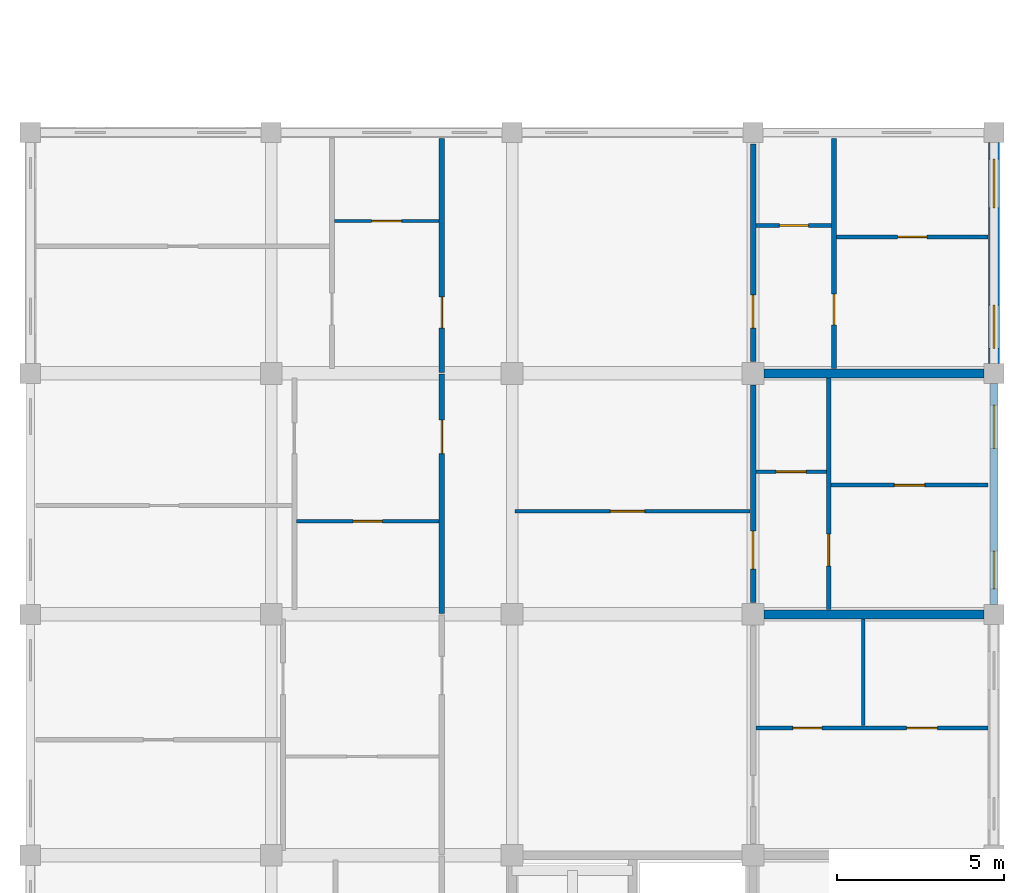
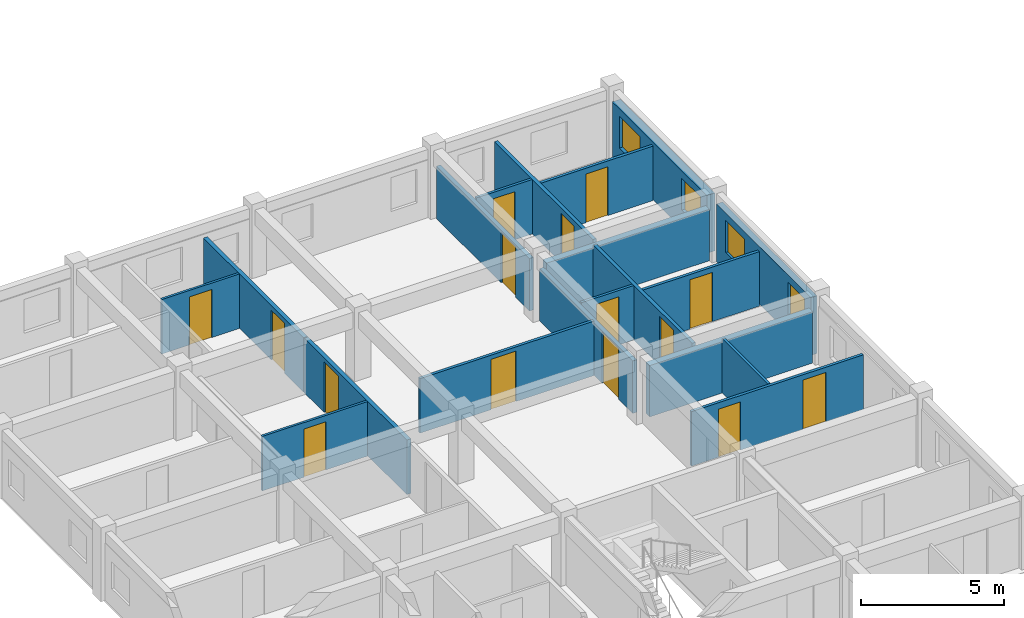
# One storey, part 33 of 50: 19 walls, 15 doors, 4 windows, 19 openings.
"""IFC4 building model written with IfcOpenShell, lengths in metres."""

from ifc_helpers import new_model, si_unit, direction, frame, frame_2d, origin, place, context, subcontext, project, spatial, rectangle, extrude, material, layer, layer_set, type_object, element, fill, save


model = new_model("IFC4")

# Units and contexts
model_context = context("Model", 3, precision=1e-05, world=origin(), true_north=direction((0.0, 1.0)))
body_context = subcontext(model_context, "Body", "Model", "MODEL_VIEW")
ifc_project = project(units=[si_unit("LENGTHUNIT", "METRE"), si_unit("AREAUNIT", "SQUARE_METRE"), si_unit("VOLUMEUNIT", "CUBIC_METRE"), si_unit("PLANEANGLEUNIT", "RADIAN"), si_unit("MASSUNIT", "GRAM", prefix="KILO"), si_unit("THERMODYNAMICTEMPERATUREUNIT", "KELVIN"), si_unit("POWERUNIT", "WATT")], contexts=[model_context])

# Site, building, storey
site_placement = place(None, origin())
site = spatial("IfcSite", under=ifc_project, at=site_placement, CompositionType="ELEMENT")
building_placement = place(site_placement, origin())
building = spatial("IfcBuilding", under=site, at=building_placement, Name="Tavuni Mirador Residences", CompositionType="ELEMENT")
storey_placement = place(building_placement, frame((0.0, 0.0, 4.5)))
storey = spatial("IfcBuildingStorey", under=building, at=storey_placement, Name="L01", CompositionType="ELEMENT", Elevation=4.5)

# Wall, opening, door
ifc_material_1 = material(Name="Precast concrete C40/50", Category="concrete")
ifc_layer_1 = layer(ifc_material_1, 0.1650390625, Name="Precast concrete C40/50", Category="concrete")
ifc_layer_set_1 = layer_set([ifc_layer_1], Name="Precast concrete C40/50")
wall_type_1 = type_object("IfcWallType", Name="WT-CORR165", PredefinedType="PARTITIONING", material=ifc_layer_set_1)
wall_1_placement = place(storey_placement, frame((102.300048828125, 122.419921875, 0.0), z_axis=(0.0, 0.0, 1.0), x_axis=(0.0, 1.0, 0.0)))
wall_1 = element("IfcWall", 1, at=wall_1_placement, inside=storey, type_object=wall_type_1, Name="CORW-BLK-D-L01-0-05", PredefinedType="PARTITIONING", context=body_context, shape_type="SweptSolid", body=[
    extrude(rectangle(XDim=7.16015625, YDim=0.1650390625, at=frame_2d((3.580078125, 0.0))), origin(), (0.0, 0.0, 1.0), 2.324951171875),
])
opening_1_placement = place(wall_1_placement, frame((4.780029296875, 0.0, 0.0)))
opening_1 = element("IfcOpeningElement", 2, at=opening_1_placement, cuts=wall_1, Name="Opening D-03", PredefinedType="OPENING", context=body_context, shape_type="SweptSolid", body=[
    extrude(rectangle(XDim=1.0, YDim=2.14990234375, at=frame_2d((0.5, 1.074951171875))), frame((0.0, 0.092529296875, 0.0), z_axis=(0.0, -1.0, 0.0), x_axis=(1.0, 0.0, 0.0)), (0.0, 0.0, 1.0), 0.18505859375),
])
ifc_material_2 = material(Name="Solid core iroko timber", Category="wood")
door_type_1 = type_object("IfcDoorType", Name="DT-FD60-1000", OperationType="NOTDEFINED", PredefinedType="DOOR", material=ifc_material_2)
door_1_placement = place(opening_1_placement, origin())
door_1 = element("IfcDoor", 3, at=door_1_placement, inside=storey, type_object=door_type_1, Name="DR-2826", OperationType="SINGLE_SWING_LEFT", OverallHeight=2.14990234375, OverallWidth=1.0, PredefinedType="DOOR", context=body_context, shape_type="SweptSolid", body=[
    extrude(rectangle(XDim=1.0, YDim=2.14990234375, at=frame_2d((0.5, 1.074951171875))), frame((0.0, 0.02490234375, 0.0), z_axis=(0.0, -1.0, 0.0), x_axis=(1.0, 0.0, 0.0)), (0.0, 0.0, 1.0), 0.050048828125),
])
fill(opening_1, door_1)

wall_2_placement = place(storey_placement, frame((102.300048828125, 129.6201171875, 0.0), z_axis=(0.0, 0.0, 1.0), x_axis=(0.0, 1.0, 0.0)))
wall_2 = element("IfcWall", 4, at=wall_2_placement, inside=storey, type_object=wall_type_1, Name="CORW-BLK-D-L01-0-06", PredefinedType="PARTITIONING", context=body_context, shape_type="SweptSolid", body=[
    extrude(rectangle(XDim=7.0048828125, YDim=0.1650390625, at=frame_2d((3.50244140625, 0.0))), origin(), (0.0, 0.0, 1.0), 2.324951171875),
])
opening_2_placement = place(wall_2_placement, frame((1.330078125, 0.0, 0.0)))
opening_2 = element("IfcOpeningElement", 5, at=opening_2_placement, cuts=wall_2, Name="Opening D-19", PredefinedType="OPENING", context=body_context, shape_type="SweptSolid", body=[
    extrude(rectangle(XDim=0.93994140625, YDim=2.1201171875, at=frame_2d((0.469970703125, 1.06005859375))), frame((0.0, 0.092529296875, 0.0), z_axis=(0.0, -1.0, 0.0), x_axis=(1.0, 0.0, 0.0)), (0.0, 0.0, 1.0), 0.18505859375),
])
door_type_2 = type_object("IfcDoorType", Name="DT-FD60-940", OperationType="NOTDEFINED", PredefinedType="DOOR", material=ifc_material_2)
door_2_placement = place(opening_2_placement, origin())
door_2 = element("IfcDoor", 6, at=door_2_placement, inside=storey, type_object=door_type_2, Name="DR-2827", OperationType="SINGLE_SWING_RIGHT", OverallHeight=2.1201171875, OverallWidth=0.93994140625, PredefinedType="DOOR", context=body_context, shape_type="SweptSolid", body=[
    extrude(rectangle(XDim=0.93994140625, YDim=2.1201171875, at=frame_2d((0.469970703125, 1.06005859375))), frame((0.0, 0.02490234375, 0.0), z_axis=(0.0, -1.0, 0.0), x_axis=(1.0, 0.0, 0.0)), (0.0, 0.0, 1.0), 0.050048828125),
])
fill(opening_2, door_2)

wall_3_placement = place(storey_placement, frame((111.60009765625, 122.75, 0.0), z_axis=(0.0, 0.0, 1.0), x_axis=(0.0, 1.0, 0.0)))
wall_3 = element("IfcWall", 7, at=wall_3_placement, inside=storey, type_object=wall_type_1, Name="CORW-BLK-D-L01-1-05", PredefinedType="PARTITIONING", context=body_context, shape_type="SweptSolid", body=[
    extrude(rectangle(XDim=6.5, YDim=0.1650390625, at=frame_2d((3.25, 0.0))), origin(), (0.0, 0.0, 1.0), 2.239990234375),
])
opening_3_placement = place(wall_3_placement, frame((1.0, 0.0, 0.0)))
opening_3 = element("IfcOpeningElement", 8, at=opening_3_placement, cuts=wall_3, Name="Opening D-20", PredefinedType="OPENING", context=body_context, shape_type="SweptSolid", body=[
    extrude(rectangle(XDim=1.139892578125, YDim=2.179931640625, at=frame_2d((0.56982421875, 1.08984375))), frame((0.0, 0.092529296875, 0.0), z_axis=(0.0, -1.0, 0.0), x_axis=(1.0, 0.0, 0.0)), (0.0, 0.0, 1.0), 0.18505859375),
])
door_type_3 = type_object("IfcDoorType", Name="DT-FD60-1140", OperationType="NOTDEFINED", PredefinedType="DOOR", material=ifc_material_2)
door_3_placement = place(opening_3_placement, origin())
door_3 = element("IfcDoor", 9, at=door_3_placement, inside=storey, type_object=door_type_3, Name="DR-2831", OperationType="SINGLE_SWING_RIGHT", OverallHeight=2.179931640625, OverallWidth=1.139892578125, PredefinedType="DOOR", context=body_context, shape_type="SweptSolid", body=[
    extrude(rectangle(XDim=1.139892578125, YDim=2.179931640625, at=frame_2d((0.56982421875, 1.08984375))), frame((0.0, 0.02490234375, 0.0), z_axis=(0.0, -1.0, 0.0), x_axis=(1.0, 0.0, 0.0)), (0.0, 0.0, 1.0), 0.050048828125),
])
fill(opening_3, door_3)

wall_4_placement = place(storey_placement, frame((111.60009765625, 129.949951171875, 0.0), z_axis=(0.0, 0.0, 1.0), x_axis=(0.0, 1.0, 0.0)))
wall_4 = element("IfcWall", 10, at=wall_4_placement, inside=storey, type_object=wall_type_1, Name="CORW-BLK-D-L01-1-06", PredefinedType="PARTITIONING", context=body_context, shape_type="SweptSolid", body=[
    extrude(rectangle(XDim=6.5, YDim=0.1650390625, at=frame_2d((3.25, 0.0))), origin(), (0.0, 0.0, 1.0), 2.239990234375),
])
opening_4_placement = place(wall_4_placement, frame((1.0, 0.0, 0.0)))
opening_4 = element("IfcOpeningElement", 11, at=opening_4_placement, cuts=wall_4, Name="Opening D-03", PredefinedType="OPENING", context=body_context, shape_type="SweptSolid", body=[
    extrude(rectangle(XDim=1.0, YDim=2.14990234375, at=frame_2d((0.5, 1.074951171875))), frame((0.0, 0.092529296875, 0.0), z_axis=(0.0, -1.0, 0.0), x_axis=(1.0, 0.0, 0.0)), (0.0, 0.0, 1.0), 0.18505859375),
])
door_4_placement = place(opening_4_placement, origin())
door_4 = element("IfcDoor", 12, at=door_4_placement, inside=storey, type_object=door_type_1, Name="DR-2832", OperationType="SINGLE_SWING_LEFT", OverallHeight=2.14990234375, OverallWidth=1.0, PredefinedType="DOOR", context=body_context, shape_type="SweptSolid", body=[
    extrude(rectangle(XDim=1.0, YDim=2.14990234375, at=frame_2d((0.5, 1.074951171875))), frame((0.0, 0.02490234375, 0.0), z_axis=(0.0, -1.0, 0.0), x_axis=(1.0, 0.0, 0.0)), (0.0, 0.0, 1.0), 0.050048828125),
])
fill(opening_4, door_4)

# Wall, openings, windows
ifc_layer_2 = layer(ifc_material_1, 0.330078125, Name="Precast concrete C40/50", Category="concrete")
ifc_layer_set_2 = layer_set([ifc_layer_2], Name="Precast concrete C40/50")
wall_type_2 = type_object("IfcWallType", Name="WT-EXT-COR330", PredefinedType="SOLIDWALL", material=ifc_layer_set_2)
wall_5_placement = place(storey_placement, frame((118.800048828125, 129.89990234375, 0.0), z_axis=(0.0, 0.0, 1.0), x_axis=(0.0, 1.0, 0.0)))
wall_5 = element("IfcWall", 13, at=wall_5_placement, inside=storey, type_object=wall_type_2, Name="EW-BLK-D-L01-E06", PredefinedType="SOLIDWALL", context=body_context, shape_type="SweptSolid", body=[
    extrude(rectangle(XDim=6.60009765625, YDim=0.330078125, at=frame_2d((3.300048828125, 0.0))), origin(), (0.0, 0.0, 1.0), 2.4599609375),
])
opening_5_placement = place(wall_5_placement, frame((0.449951171875, 0.0, 0.780029296875)))
opening_5 = element("IfcOpeningElement", 14, at=opening_5_placement, cuts=wall_5, Name="Opening WN-22", PredefinedType="OPENING", context=body_context, shape_type="SweptSolid", body=[
    extrude(rectangle(XDim=1.300048828125, YDim=1.360107421875, at=frame_2d((0.64990234375, 0.68017578125))), frame((0.0, 0.175048828125, 0.0), z_axis=(0.0, -1.0, 0.0), x_axis=(1.0, 0.0, 0.0)), (0.0, 0.0, 1.0), 0.35009765625),
])
opening_6_placement = place(wall_5_placement, frame((4.64990234375, 0.0, 0.780029296875)))
opening_6 = element("IfcOpeningElement", 15, at=opening_6_placement, cuts=wall_5, Name="Opening WN-24", PredefinedType="OPENING", context=body_context, shape_type="SweptSolid", body=[
    extrude(rectangle(XDim=1.4599609375, YDim=1.360107421875, at=frame_2d((0.72998046875, 0.68017578125))), frame((0.0, 0.175048828125, 0.0), z_axis=(0.0, -1.0, 0.0), x_axis=(1.0, 0.0, 0.0)), (0.0, 0.0, 1.0), 0.35009765625),
])
ifc_material_3 = material(Name="Laminated solar-control glass", Category="glass")
window_type_1 = type_object("IfcWindowType", Name="WNT-22", PartitioningType="SINGLE_PANEL", PredefinedType="WINDOW", material=ifc_material_3)
window_1_placement = place(opening_5_placement, origin())
window_1 = element("IfcWindow", 16, at=window_1_placement, inside=storey, type_object=window_type_1, Name="WIN-1460", OverallHeight=1.360107421875, OverallWidth=1.300048828125, PartitioningType="SINGLE_PANEL", PredefinedType="WINDOW", context=body_context, shape_type="SweptSolid", body=[
    extrude(rectangle(XDim=1.300048828125, YDim=1.360107421875, at=frame_2d((0.64990234375, 0.68017578125))), frame((0.0, 0.030029296875, 0.0), z_axis=(0.0, -1.0, 0.0), x_axis=(1.0, 0.0, 0.0)), (0.0, 0.0, 1.0), 0.06005859375),
])
fill(opening_5, window_1)
window_type_2 = type_object("IfcWindowType", Name="WNT-24", PartitioningType="SINGLE_PANEL", PredefinedType="WINDOW", material=ifc_material_3)
window_2_placement = place(opening_6_placement, origin())
window_2 = element("IfcWindow", 17, at=window_2_placement, inside=storey, type_object=window_type_2, Name="WIN-1461", OverallHeight=1.360107421875, OverallWidth=1.4599609375, PartitioningType="SINGLE_PANEL", PredefinedType="WINDOW", context=body_context, shape_type="SweptSolid", body=[
    extrude(rectangle(XDim=1.4599609375, YDim=1.360107421875, at=frame_2d((0.72998046875, 0.68017578125))), frame((0.0, 0.030029296875, 0.0), z_axis=(0.0, -1.0, 0.0), x_axis=(1.0, 0.0, 0.0)), (0.0, 0.0, 1.0), 0.06005859375),
])
fill(opening_6, window_2)

ifc_material_4 = material(Name="Sgraffito lime-rendered precast concrete C40/50", Category="concrete")
ifc_layer_3 = layer(ifc_material_4, 0.2451171875, Name="Sgraffito lime-rendered precast concrete C40/50", Category="concrete")
ifc_layer_set_3 = layer_set([ifc_layer_3], Name="Sgraffito lime-rendered precast concrete C40/50")
wall_type_3 = type_object("IfcWallType", Name="WT-EXT-PC245", PredefinedType="SOLIDWALL", material=ifc_layer_set_3)
wall_6_placement = place(storey_placement, frame((118.800048828125, 122.699951171875, 0.0), z_axis=(0.0, 0.0, 1.0), x_axis=(0.0, 1.0, 0.0)))
wall_6 = element("IfcWall", 18, at=wall_6_placement, inside=storey, type_object=wall_type_3, Name="EW-BLK-D-L01-E05", PredefinedType="SOLIDWALL", context=body_context, shape_type="SweptSolid", body=[
    extrude(rectangle(XDim=6.60009765625, YDim=0.2451171875, at=frame_2d((3.300048828125, 0.0))), origin(), (0.0, 0.0, 1.0), 2.4599609375),
])
opening_7_placement = place(wall_6_placement, frame((0.449951171875, 0.0, 0.780029296875)))
opening_7 = element("IfcOpeningElement", 19, at=opening_7_placement, cuts=wall_6, Name="Opening WN-20", PredefinedType="OPENING", context=body_context, shape_type="SweptSolid", body=[
    extrude(rectangle(XDim=1.139892578125, YDim=1.360107421875, at=frame_2d((0.56982421875, 0.68017578125))), frame((0.0, 0.132568359375, 0.0), z_axis=(0.0, -1.0, 0.0), x_axis=(1.0, 0.0, 0.0)), (0.0, 0.0, 1.0), 0.26513671875),
])
opening_8_placement = place(wall_6_placement, frame((4.64990234375, 0.0, 0.780029296875)))
opening_8 = element("IfcOpeningElement", 20, at=opening_8_placement, cuts=wall_6, Name="Opening WN-22", PredefinedType="OPENING", context=body_context, shape_type="SweptSolid", body=[
    extrude(rectangle(XDim=1.300048828125, YDim=1.360107421875, at=frame_2d((0.64990234375, 0.68017578125))), frame((0.0, 0.132568359375, 0.0), z_axis=(0.0, -1.0, 0.0), x_axis=(1.0, 0.0, 0.0)), (0.0, 0.0, 1.0), 0.26513671875),
])
window_type_3 = type_object("IfcWindowType", Name="WNT-20", PartitioningType="SINGLE_PANEL", PredefinedType="WINDOW", material=ifc_material_3)
window_3_placement = place(opening_7_placement, origin())
window_3 = element("IfcWindow", 21, at=window_3_placement, inside=storey, type_object=window_type_3, Name="WIN-1458", OverallHeight=1.360107421875, OverallWidth=1.139892578125, PartitioningType="SINGLE_PANEL", PredefinedType="WINDOW", context=body_context, shape_type="SweptSolid", body=[
    extrude(rectangle(XDim=1.139892578125, YDim=1.360107421875, at=frame_2d((0.56982421875, 0.68017578125))), frame((0.0, 0.030029296875, 0.0), z_axis=(0.0, -1.0, 0.0), x_axis=(1.0, 0.0, 0.0)), (0.0, 0.0, 1.0), 0.06005859375),
])
fill(opening_7, window_3)
window_4_placement = place(opening_8_placement, origin())
window_4 = element("IfcWindow", 22, at=window_4_placement, inside=storey, type_object=window_type_1, Name="WIN-1459", OverallHeight=1.360107421875, OverallWidth=1.300048828125, PartitioningType="SINGLE_PANEL", PredefinedType="WINDOW", context=body_context, shape_type="SweptSolid", body=[
    extrude(rectangle(XDim=1.300048828125, YDim=1.360107421875, at=frame_2d((0.64990234375, 0.68017578125))), frame((0.0, 0.030029296875, 0.0), z_axis=(0.0, -1.0, 0.0), x_axis=(1.0, 0.0, 0.0)), (0.0, 0.0, 1.0), 0.06005859375),
])
fill(opening_8, window_4)

# Wall, opening, door
ifc_material_5 = material(Name="Acoustic gypsum and concrete block partition", Category="concrete")
ifc_layer_4 = layer(ifc_material_5, 0.094970703125, Name="Acoustic gypsum and concrete block partition", Category="concrete")
ifc_layer_set_4 = layer_set([ifc_layer_4], Name="Acoustic gypsum and concrete block partition")
wall_type_4 = type_object("IfcWallType", Name="WT-PART095", PredefinedType="PARTITIONING", material=ifc_layer_set_4)
wall_7_placement = place(storey_placement, frame((97.9599609375, 125.179931640625, 0.0), z_axis=(0.0, 0.0, 1.0), x_axis=(1.0, 0.0, 0.0)))
wall_7 = element("IfcWall", 23, at=wall_7_placement, inside=storey, type_object=wall_type_4, Name="PW-BLK-D-L01-W05-IN1", PredefinedType="PARTITIONING", context=body_context, shape_type="SweptSolid", body=[
    extrude(rectangle(XDim=4.25, YDim=0.094970703125, at=frame_2d((2.125, 0.0))), origin(), (0.0, 0.0, 1.0), 2.324951171875),
])
opening_9_placement = place(wall_7_placement, frame((1.68994140625, 0.0, 0.0)))
opening_9 = element("IfcOpeningElement", 24, at=opening_9_placement, cuts=wall_7, Name="Opening D-10", PredefinedType="OPENING", context=body_context, shape_type="SweptSolid", body=[
    extrude(rectangle(XDim=0.8701171875, YDim=2.050048828125, at=frame_2d((0.43505859375, 1.02490234375))), frame((0.0, 0.0576171875, 0.0), z_axis=(0.0, -1.0, 0.0), x_axis=(1.0, 0.0, 0.0)), (0.0, 0.0, 1.0), 0.114990234375),
])
door_type_4 = type_object("IfcDoorType", Name="DT-WC870", OperationType="NOTDEFINED", PredefinedType="DOOR", material=ifc_material_2)
door_5_placement = place(opening_9_placement, origin())
door_5 = element("IfcDoor", 25, at=door_5_placement, inside=storey, type_object=door_type_4, Name="DR-4340", OperationType="SINGLE_SWING_LEFT", OverallHeight=2.050048828125, OverallWidth=0.8701171875, PredefinedType="DOOR", context=body_context, shape_type="SweptSolid", body=[
    extrude(rectangle(XDim=0.8701171875, YDim=2.050048828125, at=frame_2d((0.43505859375, 1.02490234375))), frame((0.0, 0.02490234375, 0.0), z_axis=(0.0, -1.0, 0.0), x_axis=(1.0, 0.0, 0.0)), (0.0, 0.0, 1.0), 0.050048828125),
])
fill(opening_9, door_5)

wall_8_placement = place(storey_placement, frame((99.090087890625, 134.14990234375, 0.0), z_axis=(0.0, 0.0, 1.0), x_axis=(1.0, 0.0, 0.0)))
wall_8 = element("IfcWall", 26, at=wall_8_placement, inside=storey, type_object=wall_type_4, Name="PW-BLK-D-L01-W06-IN1", PredefinedType="PARTITIONING", context=body_context, shape_type="SweptSolid", body=[
    extrude(rectangle(XDim=3.119873046875, YDim=0.094970703125, at=frame_2d((1.56005859375, 0.0))), origin(), (0.0, 0.0, 1.0), 2.324951171875),
])
opening_10_placement = place(wall_8_placement, frame((1.110107421875, 0.0, 0.0)))
opening_10 = element("IfcOpeningElement", 27, at=opening_10_placement, cuts=wall_8, Name="Opening D-09", PredefinedType="OPENING", context=body_context, shape_type="SweptSolid", body=[
    extrude(rectangle(XDim=0.89990234375, YDim=2.050048828125, at=frame_2d((0.449951171875, 1.02490234375))), frame((0.0, 0.0576171875, 0.0), z_axis=(0.0, -1.0, 0.0), x_axis=(1.0, 0.0, 0.0)), (0.0, 0.0, 1.0), 0.114990234375),
])
door_type_5 = type_object("IfcDoorType", Name="DT-WC900", OperationType="NOTDEFINED", PredefinedType="DOOR", material=ifc_material_2)
door_6_placement = place(opening_10_placement, origin())
door_6 = element("IfcDoor", 28, at=door_6_placement, inside=storey, type_object=door_type_5, Name="DR-4346", OperationType="SINGLE_SWING_RIGHT", OverallHeight=2.050048828125, OverallWidth=0.89990234375, PredefinedType="DOOR", context=body_context, shape_type="SweptSolid", body=[
    extrude(rectangle(XDim=0.89990234375, YDim=2.050048828125, at=frame_2d((0.449951171875, 1.02490234375))), frame((0.0, 0.02490234375, 0.0), z_axis=(0.0, -1.0, 0.0), x_axis=(1.0, 0.0, 0.0)), (0.0, 0.0, 1.0), 0.050048828125),
])
fill(opening_10, door_6)

# Wall
ifc_layer_5 = layer(ifc_material_5, 0.10498046875, Name="Acoustic gypsum and concrete block partition", Category="concrete")
ifc_layer_set_5 = layer_set([ifc_layer_5], Name="Acoustic gypsum and concrete block partition")
wall_type_5 = type_object("IfcWallType", Name="WT-PART105", PredefinedType="PARTITIONING", material=ifc_layer_set_5)
wall_9_placement = place(storey_placement, frame((114.89990234375, 119.070068359375, 0.0), z_axis=(0.0, 0.0, 1.0), x_axis=(0.0, 1.0, 0.0)))
element("IfcWall", 29, at=wall_9_placement, inside=storey, type_object=wall_type_5, Name="PW-BLK-D-L01-PF04-V", PredefinedType="PARTITIONING", context=body_context, shape_type="SweptSolid", body=[
    extrude(rectangle(XDim=3.18994140625, YDim=0.10498046875, at=frame_2d((1.594970703125, 0.0))), origin(), (0.0, 0.0, 1.0), 2.324951171875),
])

# Wall, opening, door
wall_10_placement = place(storey_placement, frame((111.68994140625, 126.659912109375, 0.0), z_axis=(0.0, 0.0, 1.0), x_axis=(1.0, 0.0, 0.0)))
wall_10 = element("IfcWall", 30, at=wall_10_placement, inside=storey, type_object=wall_type_5, Name="PW-BLK-D-L01-E05-IN1", PredefinedType="PARTITIONING", context=body_context, shape_type="SweptSolid", body=[
    extrude(rectangle(XDim=2.10009765625, YDim=0.10498046875, at=frame_2d((1.050048828125, 0.0))), origin(), (0.0, 0.0, 1.0), 2.324951171875),
])
opening_11_placement = place(wall_10_placement, frame((0.60009765625, 0.0, 0.0)))
opening_11 = element("IfcOpeningElement", 31, at=opening_11_placement, cuts=wall_10, Name="Opening D-09", PredefinedType="OPENING", context=body_context, shape_type="SweptSolid", body=[
    extrude(rectangle(XDim=0.89990234375, YDim=2.050048828125, at=frame_2d((0.449951171875, 1.02490234375))), frame((0.0, 0.0625, 0.0), z_axis=(0.0, -1.0, 0.0), x_axis=(1.0, 0.0, 0.0)), (0.0, 0.0, 1.0), 0.125),
])
door_7_placement = place(opening_11_placement, origin())
door_7 = element("IfcDoor", 32, at=door_7_placement, inside=storey, type_object=door_type_5, Name="DR-4343", OperationType="SINGLE_SWING_RIGHT", OverallHeight=2.050048828125, OverallWidth=0.89990234375, PredefinedType="DOOR", context=body_context, shape_type="SweptSolid", body=[
    extrude(rectangle(XDim=0.89990234375, YDim=2.050048828125, at=frame_2d((0.449951171875, 1.02490234375))), frame((0.0, 0.02490234375, 0.0), z_axis=(0.0, -1.0, 0.0), x_axis=(1.0, 0.0, 0.0)), (0.0, 0.0, 1.0), 0.050048828125),
])
fill(opening_11, door_7)

wall_11_placement = place(storey_placement, frame((111.68994140625, 134.02001953125, 0.0), z_axis=(0.0, 0.0, 1.0), x_axis=(1.0, 0.0, 0.0)))
wall_11 = element("IfcWall", 33, at=wall_11_placement, inside=storey, type_object=wall_type_5, Name="PW-BLK-D-L01-E06-IN1", PredefinedType="PARTITIONING", context=body_context, shape_type="SweptSolid", body=[
    extrude(rectangle(XDim=2.260009765625, YDim=0.10498046875, at=frame_2d((1.1298828125, 0.0))), origin(), (0.0, 0.0, 1.0), 2.324951171875),
])
opening_12_placement = place(wall_11_placement, frame((0.695068359375, 0.0, 0.0)))
opening_12 = element("IfcOpeningElement", 34, at=opening_12_placement, cuts=wall_11, Name="Opening D-10", PredefinedType="OPENING", context=body_context, shape_type="SweptSolid", body=[
    extrude(rectangle(XDim=0.8701171875, YDim=2.050048828125, at=frame_2d((0.43505859375, 1.02490234375))), frame((0.0, 0.0625, 0.0), z_axis=(0.0, -1.0, 0.0), x_axis=(1.0, 0.0, 0.0)), (0.0, 0.0, 1.0), 0.125),
])
door_8_placement = place(opening_12_placement, origin())
door_8 = element("IfcDoor", 35, at=door_8_placement, inside=storey, type_object=door_type_4, Name="DR-4349", OperationType="SINGLE_SWING_LEFT", OverallHeight=2.050048828125, OverallWidth=0.8701171875, PredefinedType="DOOR", context=body_context, shape_type="SweptSolid", body=[
    extrude(rectangle(XDim=0.8701171875, YDim=2.050048828125, at=frame_2d((0.43505859375, 1.02490234375))), frame((0.0, 0.02490234375, 0.0), z_axis=(0.0, -1.0, 0.0), x_axis=(1.0, 0.0, 0.0)), (0.0, 0.0, 1.0), 0.050048828125),
])
fill(opening_12, door_8)

# Wall, openings, doors
ifc_layer_6 = layer(ifc_material_5, 0.114990234375, Name="Acoustic gypsum and concrete block partition", Category="concrete")
ifc_layer_set_6 = layer_set([ifc_layer_6], Name="Acoustic gypsum and concrete block partition")
wall_type_6 = type_object("IfcWallType", Name="WT-PART115", PredefinedType="PARTITIONING", material=ifc_layer_set_6)
wall_12_placement = place(storey_placement, frame((111.68994140625, 119.0, 0.0), z_axis=(0.0, 0.0, 1.0), x_axis=(1.0, 0.0, 0.0)))
wall_12 = element("IfcWall", 36, at=wall_12_placement, inside=storey, type_object=wall_type_6, Name="PW-BLK-D-L01-PF04-H", PredefinedType="PARTITIONING", context=body_context, shape_type="SweptSolid", body=[
    extrude(rectangle(XDim=6.93505859375, YDim=0.114990234375, at=frame_2d((3.467529296875, 0.0))), origin(), (0.0, 0.0, 1.0), 2.324951171875),
])
opening_13_placement = place(wall_12_placement, frame((1.10009765625, 0.0, 0.0)))
opening_13 = element("IfcOpeningElement", 37, at=opening_13_placement, cuts=wall_12, Name="Opening D-10", PredefinedType="OPENING", context=body_context, shape_type="SweptSolid", body=[
    extrude(rectangle(XDim=0.8701171875, YDim=2.050048828125, at=frame_2d((0.43505859375, 1.02490234375))), frame((0.0, 0.0673828125, 0.0), z_axis=(0.0, -1.0, 0.0), x_axis=(1.0, 0.0, 0.0)), (0.0, 0.0, 1.0), 0.135009765625),
])
opening_14_placement = place(wall_12_placement, frame((4.5, 0.0, 0.0)))
opening_14 = element("IfcOpeningElement", 38, at=opening_14_placement, cuts=wall_12, Name="Opening D-06", PredefinedType="OPENING", context=body_context, shape_type="SweptSolid", body=[
    extrude(rectangle(XDim=0.919921875, YDim=2.10009765625, at=frame_2d((0.4599609375, 1.050048828125))), frame((0.0, 0.0673828125, 0.0), z_axis=(0.0, -1.0, 0.0), x_axis=(1.0, 0.0, 0.0)), (0.0, 0.0, 1.0), 0.135009765625),
])
door_type_6 = type_object("IfcDoorType", Name="DT-INT920", OperationType="NOTDEFINED", PredefinedType="DOOR", material=ifc_material_2)
door_9_placement = place(opening_14_placement, origin())
door_9 = element("IfcDoor", 39, at=door_9_placement, inside=storey, type_object=door_type_6, Name="DR-4337", OperationType="SINGLE_SWING_RIGHT", OverallHeight=2.10009765625, OverallWidth=0.919921875, PredefinedType="DOOR", context=body_context, shape_type="SweptSolid", body=[
    extrude(rectangle(XDim=0.919921875, YDim=2.10009765625, at=frame_2d((0.4599609375, 1.050048828125))), frame((0.0, 0.02490234375, 0.0), z_axis=(0.0, -1.0, 0.0), x_axis=(1.0, 0.0, 0.0)), (0.0, 0.0, 1.0), 0.050048828125),
])
fill(opening_14, door_9)
door_10_placement = place(opening_13_placement, origin())
door_10 = element("IfcDoor", 40, at=door_10_placement, inside=storey, type_object=door_type_4, Name="DR-4336", OperationType="SINGLE_SWING_LEFT", OverallHeight=2.050048828125, OverallWidth=0.8701171875, PredefinedType="DOOR", context=body_context, shape_type="SweptSolid", body=[
    extrude(rectangle(XDim=0.8701171875, YDim=2.050048828125, at=frame_2d((0.43505859375, 1.02490234375))), frame((0.0, 0.02490234375, 0.0), z_axis=(0.0, -1.0, 0.0), x_axis=(1.0, 0.0, 0.0)), (0.0, 0.0, 1.0), 0.050048828125),
])
fill(opening_13, door_10)

# Wall, opening, door
wall_13_placement = place(storey_placement, frame((104.489990234375, 125.47998046875, 0.0), z_axis=(0.0, 0.0, 1.0), x_axis=(1.0, 0.0, 0.0)))
wall_13 = element("IfcWall", 41, at=wall_13_placement, inside=storey, type_object=wall_type_6, Name="PW-SPN-BLK-D-L01-05", PredefinedType="PARTITIONING", context=body_context, shape_type="SweptSolid", body=[
    extrude(rectangle(XDim=7.02001953125, YDim=0.114990234375, at=frame_2d((3.510009765625, 0.0))), origin(), (0.0, 0.0, 1.0), 2.324951171875),
])
opening_15_placement = place(wall_13_placement, frame((2.85009765625, 0.0, 0.0)))
opening_15 = element("IfcOpeningElement", 42, at=opening_15_placement, cuts=wall_13, Name="Opening D-13", PredefinedType="OPENING", context=body_context, shape_type="SweptSolid", body=[
    extrude(rectangle(XDim=1.02001953125, YDim=2.14990234375, at=frame_2d((0.510009765625, 1.074951171875))), frame((0.0, 0.0673828125, 0.0), z_axis=(0.0, -1.0, 0.0), x_axis=(1.0, 0.0, 0.0)), (0.0, 0.0, 1.0), 0.135009765625),
])
door_type_7 = type_object("IfcDoorType", Name="DT-MTG1020", OperationType="NOTDEFINED", PredefinedType="DOOR", material=ifc_material_2)
door_11_placement = place(opening_15_placement, origin())
door_11 = element("IfcDoor", 43, at=door_11_placement, inside=storey, type_object=door_type_7, Name="DR-4338", OperationType="SINGLE_SWING_LEFT", OverallHeight=2.14990234375, OverallWidth=1.02001953125, PredefinedType="DOOR", context=body_context, shape_type="SweptSolid", body=[
    extrude(rectangle(XDim=1.02001953125, YDim=2.14990234375, at=frame_2d((0.510009765625, 1.074951171875))), frame((0.0, 0.02490234375, 0.0), z_axis=(0.0, -1.0, 0.0), x_axis=(1.0, 0.0, 0.0)), (0.0, 0.0, 1.0), 0.050048828125),
])
fill(opening_15, door_11)

wall_14_placement = place(storey_placement, frame((113.929931640625, 126.260009765625, 0.0), z_axis=(0.0, 0.0, 1.0), x_axis=(1.0, 0.0, 0.0)))
wall_14 = element("IfcWall", 44, at=wall_14_placement, inside=storey, type_object=wall_type_6, Name="PW-BLK-D-L01-E05-OUT", PredefinedType="PARTITIONING", context=body_context, shape_type="SweptSolid", body=[
    extrude(rectangle(XDim=4.695068359375, YDim=0.114990234375, at=frame_2d((2.34765625, 0.0))), origin(), (0.0, 0.0, 1.0), 2.324951171875),
])
opening_16_placement = place(wall_14_placement, frame((1.8974609375, 0.0, 0.0)))
opening_16 = element("IfcOpeningElement", 45, at=opening_16_placement, cuts=wall_14, Name="Opening D-07", PredefinedType="OPENING", context=body_context, shape_type="SweptSolid", body=[
    extrude(rectangle(XDim=0.89990234375, YDim=2.10009765625, at=frame_2d((0.449951171875, 1.050048828125))), frame((0.0, 0.0673828125, 0.0), z_axis=(0.0, -1.0, 0.0), x_axis=(1.0, 0.0, 0.0)), (0.0, 0.0, 1.0), 0.135009765625),
])
door_type_8 = type_object("IfcDoorType", Name="DT-BED900", OperationType="NOTDEFINED", PredefinedType="DOOR", material=ifc_material_2)
door_12_placement = place(opening_16_placement, origin())
door_12 = element("IfcDoor", 46, at=door_12_placement, inside=storey, type_object=door_type_8, Name="DR-4342", OperationType="SINGLE_SWING_LEFT", OverallHeight=2.10009765625, OverallWidth=0.89990234375, PredefinedType="DOOR", context=body_context, shape_type="SweptSolid", body=[
    extrude(rectangle(XDim=0.89990234375, YDim=2.10009765625, at=frame_2d((0.449951171875, 1.050048828125))), frame((0.0, 0.02490234375, 0.0), z_axis=(0.0, -1.0, 0.0), x_axis=(1.0, 0.0, 0.0)), (0.0, 0.0, 1.0), 0.050048828125),
])
fill(opening_16, door_12)

wall_15_placement = place(storey_placement, frame((114.090087890625, 133.679931640625, 0.0), z_axis=(0.0, 0.0, 1.0), x_axis=(1.0, 0.0, 0.0)))
wall_15 = element("IfcWall", 47, at=wall_15_placement, inside=storey, type_object=wall_type_6, Name="PW-BLK-D-L01-E06-OUT", PredefinedType="PARTITIONING", context=body_context, shape_type="SweptSolid", body=[
    extrude(rectangle(XDim=4.534912109375, YDim=0.114990234375, at=frame_2d((2.267578125, 0.0))), origin(), (0.0, 0.0, 1.0), 2.324951171875),
])
opening_17_placement = place(wall_15_placement, frame((1.827392578125, 0.0, 0.0)))
opening_17 = element("IfcOpeningElement", 48, at=opening_17_placement, cuts=wall_15, Name="Opening D-08", PredefinedType="OPENING", context=body_context, shape_type="SweptSolid", body=[
    extrude(rectangle(XDim=0.8798828125, YDim=2.080078125, at=frame_2d((0.43994140625, 1.0400390625))), frame((0.0, 0.0673828125, 0.0), z_axis=(0.0, -1.0, 0.0), x_axis=(1.0, 0.0, 0.0)), (0.0, 0.0, 1.0), 0.135009765625),
])
door_type_9 = type_object("IfcDoorType", Name="DT-BED880", OperationType="NOTDEFINED", PredefinedType="DOOR", material=ifc_material_2)
door_13_placement = place(opening_17_placement, origin())
door_13 = element("IfcDoor", 49, at=door_13_placement, inside=storey, type_object=door_type_9, Name="DR-4348", OperationType="SINGLE_SWING_RIGHT", OverallHeight=2.080078125, OverallWidth=0.8798828125, PredefinedType="DOOR", context=body_context, shape_type="SweptSolid", body=[
    extrude(rectangle(XDim=0.8798828125, YDim=2.080078125, at=frame_2d((0.43994140625, 1.0400390625))), frame((0.0, 0.02490234375, 0.0), z_axis=(0.0, -1.0, 0.0), x_axis=(1.0, 0.0, 0.0)), (0.0, 0.0, 1.0), 0.050048828125),
])
fill(opening_17, door_13)

ifc_layer_7 = layer(ifc_material_5, 0.139892578125, Name="Acoustic gypsum and concrete block partition", Category="concrete")
ifc_layer_set_7 = layer_set([ifc_layer_7], Name="Acoustic gypsum and concrete block partition")
wall_type_7 = type_object("IfcWallType", Name="WT-PART140", PredefinedType="PARTITIONING", material=ifc_layer_set_7)
wall_16_placement = place(storey_placement, frame((113.860107421875, 122.5400390625, 0.0), z_axis=(0.0, 0.0, 1.0), x_axis=(0.0, 1.0, 0.0)))
wall_16 = element("IfcWall", 50, at=wall_16_placement, inside=storey, type_object=wall_type_7, Name="PW-BLK-D-L01-E05-MID", PredefinedType="PARTITIONING", context=body_context, shape_type="SweptSolid", body=[
    extrude(rectangle(XDim=6.919921875, YDim=0.139892578125, at=frame_2d((3.4599609375, 0.0))), origin(), (0.0, 0.0, 1.0), 2.324951171875),
])
opening_18_placement = place(wall_16_placement, frame((1.31005859375, 0.0, 0.0)))
opening_18 = element("IfcOpeningElement", 51, at=opening_18_placement, cuts=wall_16, Name="Opening D-05", PredefinedType="OPENING", context=body_context, shape_type="SweptSolid", body=[
    extrude(rectangle(XDim=0.949951171875, YDim=2.10009765625, at=frame_2d((0.47509765625, 1.050048828125))), frame((0.0, 0.080078125, 0.0), z_axis=(0.0, -1.0, 0.0), x_axis=(1.0, 0.0, 0.0)), (0.0, 0.0, 1.0), 0.159912109375),
])
door_type_10 = type_object("IfcDoorType", Name="DT-INT950", OperationType="NOTDEFINED", PredefinedType="DOOR", material=ifc_material_2)
door_14_placement = place(opening_18_placement, origin())
door_14 = element("IfcDoor", 52, at=door_14_placement, inside=storey, type_object=door_type_10, Name="DR-4344", OperationType="SINGLE_SWING_LEFT", OverallHeight=2.10009765625, OverallWidth=0.949951171875, PredefinedType="DOOR", context=body_context, shape_type="SweptSolid", body=[
    extrude(rectangle(XDim=0.949951171875, YDim=2.10009765625, at=frame_2d((0.47509765625, 1.050048828125))), frame((0.0, 0.02490234375, 0.0), z_axis=(0.0, -1.0, 0.0), x_axis=(1.0, 0.0, 0.0)), (0.0, 0.0, 1.0), 0.050048828125),
])
fill(opening_18, door_14)

wall_17_placement = place(storey_placement, frame((114.02001953125, 129.739990234375, 0.0), z_axis=(0.0, 0.0, 1.0), x_axis=(0.0, 1.0, 0.0)))
wall_17 = element("IfcWall", 53, at=wall_17_placement, inside=storey, type_object=wall_type_7, Name="PW-BLK-D-L01-E06-MID", PredefinedType="PARTITIONING", context=body_context, shape_type="SweptSolid", body=[
    extrude(rectangle(XDim=6.885009765625, YDim=0.139892578125, at=frame_2d((3.4423828125, 0.0))), origin(), (0.0, 0.0, 1.0), 2.324951171875),
])
opening_19_placement = place(wall_17_placement, frame((1.31005859375, 0.0, 0.0)))
opening_19 = element("IfcOpeningElement", 54, at=opening_19_placement, cuts=wall_17, Name="Opening D-06", PredefinedType="OPENING", context=body_context, shape_type="SweptSolid", body=[
    extrude(rectangle(XDim=0.919921875, YDim=2.10009765625, at=frame_2d((0.4599609375, 1.050048828125))), frame((0.0, 0.080078125, 0.0), z_axis=(0.0, -1.0, 0.0), x_axis=(1.0, 0.0, 0.0)), (0.0, 0.0, 1.0), 0.159912109375),
])
door_15_placement = place(opening_19_placement, origin())
door_15 = element("IfcDoor", 55, at=door_15_placement, inside=storey, type_object=door_type_6, Name="DR-4350", OperationType="SINGLE_SWING_RIGHT", OverallHeight=2.10009765625, OverallWidth=0.919921875, PredefinedType="DOOR", context=body_context, shape_type="SweptSolid", body=[
    extrude(rectangle(XDim=0.919921875, YDim=2.10009765625, at=frame_2d((0.4599609375, 1.050048828125))), frame((0.0, 0.02490234375, 0.0), z_axis=(0.0, -1.0, 0.0), x_axis=(1.0, 0.0, 0.0)), (0.0, 0.0, 1.0), 0.050048828125),
])
fill(opening_19, door_15)

# Walls
ifc_layer_8 = layer(ifc_material_1, 0.264892578125, Name="Precast concrete C40/50", Category="concrete")
ifc_layer_set_8 = layer_set([ifc_layer_8], Name="Precast concrete C40/50")
wall_type_8 = type_object("IfcWallType", Name="WT-XW265", PredefinedType="SOLIDWALL", material=ifc_layer_set_8)
for number, where, z_axis, x_axis, name in (
    (56, (111.925048828125, 122.39990234375, 0.0), (0.0, 0.0, 1.0), (1.0, 0.0, 0.0), "XW-BLK-D-L01-E-05"),
    (57, (111.925048828125, 129.60009765625, 0.0), (0.0, 0.0, 1.0), (1.0, 0.0, 0.0), "XW-BLK-D-L01-E-06"),
):
    element("IfcWall", number, at=place(storey_placement, frame(where, z_axis=z_axis, x_axis=x_axis)), inside=storey, type_object=wall_type_8, Name=name, PredefinedType="SOLIDWALL", context=body_context, shape_type="SweptSolid", body=[
        extrude(rectangle(XDim=6.574951171875, YDim=0.264892578125, at=frame_2d((3.28759765625, 0.0))), origin(), (0.0, 0.0, 1.0), 2.18994140625),
    ])

save(model, "model.ifc")
